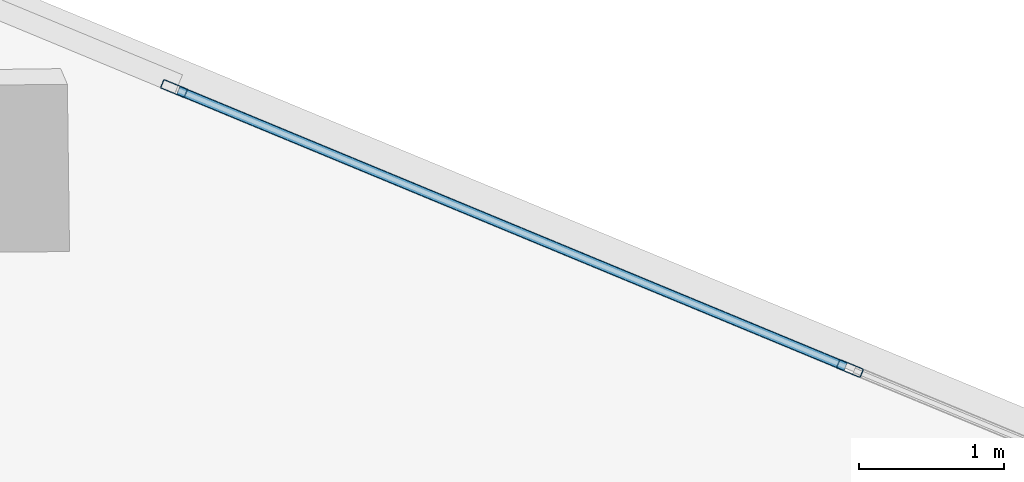
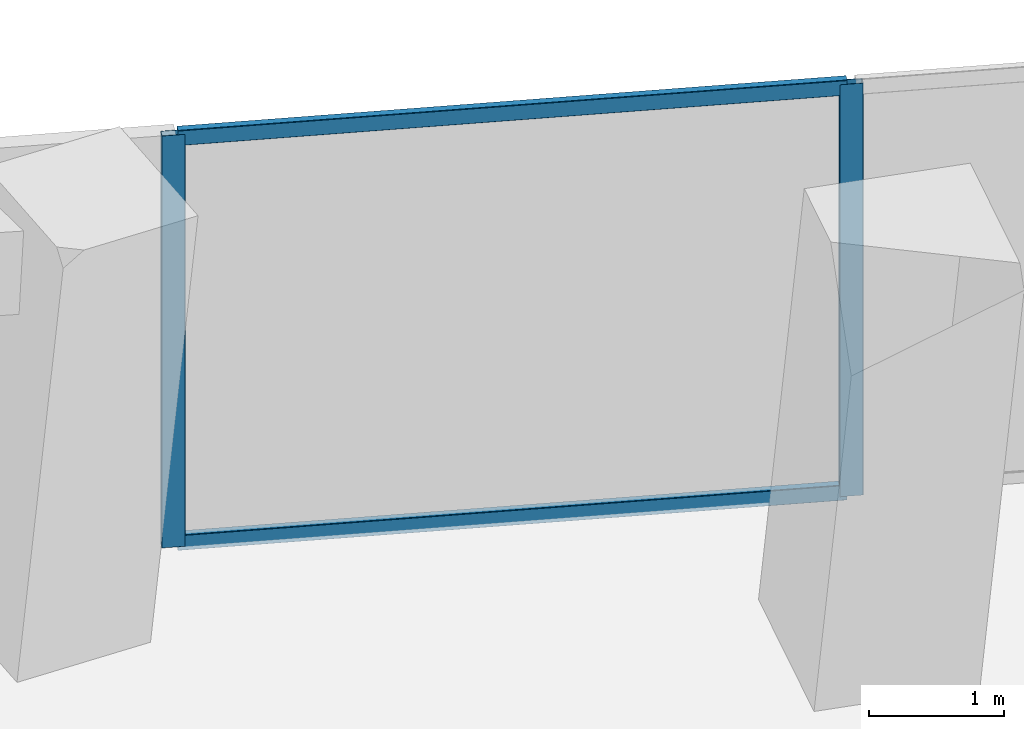
# One storey, part 9 of 23: 4 members, 1 element without a shape of its own.
"""IFC4 building model written with IfcOpenShell, lengths in metres."""

from ifc_helpers import new_model, si_unit, direction, frame, origin, origin_2d, place, context, subcontext, project, spatial, hollow_rectangle, extrude, source, transform, mapped, material, material_profile, profile_set, type_object, element, aggregate, save


model = new_model("IFC4")

# Units and contexts
model_context = context("Model", 3, precision=1e-05, world=origin(), true_north=direction((0.0, 1.0)))
body_context = subcontext(model_context, "Body", "Model", "MODEL_VIEW")
ifc_project = project(units=[si_unit("LENGTHUNIT", "METRE"), si_unit("AREAUNIT", "SQUARE_METRE"), si_unit("VOLUMEUNIT", "CUBIC_METRE"), si_unit("PLANEANGLEUNIT", "RADIAN"), si_unit("MASSUNIT", "GRAM", prefix="KILO")], contexts=[model_context])

# Site, building, storey
site_placement = place(None, origin())
site = spatial("IfcSite", under=ifc_project, at=site_placement, CompositionType="ELEMENT")
building_placement = place(site_placement, origin())
building = spatial("IfcBuilding", under=site, at=building_placement, Name="Torre Montelarca", CompositionType="ELEMENT")
storey_placement = place(building_placement, frame((0.0, 0.0, 145.60009765625)))
storey = spatial("IfcBuildingStorey", under=building, at=storey_placement, Name="L32", CompositionType="ELEMENT", Elevation=145.60009765625)

# Curtain wall, members
ifc_material_1 = material(Name="Insulated low-E laminated glass", Category="glass")
curtain_wall_type = type_object("IfcCurtainWallType", Name="CW-SYS-Z2", PredefinedType="USERDEFINED", material=ifc_material_1)
curtain_wall_placement = place(storey_placement, origin())
curtain_wall = element("IfcCurtainWall", 1, at=curtain_wall_placement, inside=storey, type_object=curtain_wall_type, Name="L32 Curtain Wall Run CW-T3-L32-E08-B1", ObjectType="UNITISED GLAZING", PredefinedType="USERDEFINED")
ifc_material_2 = material(Name="Anodised aluminium AA 6063-T6", Category="aluminium")
ifc_material_profile_1 = material_profile(ifc_material_2, hollow_rectangle(XDim=0.06494140625, YDim=0.179931640625, WallThickness=0.00390625, InnerFilletRadius=0.00390625, OuterFilletRadius=0.008056640625, at=origin_2d()), Name="ALU65X180X4", Category="aluminium")
ifc_profile_set_1 = profile_set([ifc_material_profile_1], Name="Anodised aluminium AA 6063-T6")
member_type_1 = type_object("IfcMemberType", Name="CWM-ALU180", PredefinedType="MULLION", material=ifc_profile_set_1)
shared_shape_1 = source(origin(), body_context, "Body", "SweptSolid", [
    extrude(hollow_rectangle(XDim=0.06494140625, YDim=0.179931640625, WallThickness=0.00390625, InnerFilletRadius=0.00390625, OuterFilletRadius=0.008056640625, at=origin_2d()), origin(), (0.0, 0.0, 1.0), 3.719970703125),
])
member_1_placement = place(storey_placement, frame((46.722900390625, 38.9462890625, 0.0), z_axis=(0.0, 0.0, 1.0), x_axis=(-0.382680914615, -0.923880575394, 0.0)))
member_1 = element("IfcMember", 2, at=member_1_placement, type_object=member_type_1, Name="CW mullion 2", PredefinedType="MULLION", context=body_context, shape_type="MappedRepresentation", body=[
    mapped(shared_shape_1, transform((0.0, 0.0, 0.0), scale=1.0)),
])
member_2_placement = place(storey_placement, frame((42.050537109375, 40.881591796875, 0.0), z_axis=(0.0, 0.0, 1.0), x_axis=(-0.382680914615, -0.923880575394, 0.0)))
member_2 = element("IfcMember", 3, at=member_2_placement, type_object=member_type_1, Name="CW mullion 3", PredefinedType="MULLION", context=body_context, shape_type="MappedRepresentation", body=[
    mapped(shared_shape_1, transform((0.0, 0.0, 0.0), scale=1.0)),
])
ifc_material_profile_2 = material_profile(ifc_material_2, hollow_rectangle(XDim=0.06494140625, YDim=0.139892578125, WallThickness=0.00390625, InnerFilletRadius=0.00390625, OuterFilletRadius=0.008056640625, at=origin_2d()), Name="ALU65X140X4", Category="aluminium")
ifc_profile_set_2 = profile_set([ifc_material_profile_2], Name="Anodised aluminium AA 6063-T6")
member_type_2 = type_object("IfcMemberType", Name="CWT-ALU140", PredefinedType="USERDEFINED", material=ifc_profile_set_2)
shared_shape_2 = source(origin(), body_context, "Body", "SweptSolid", [
    extrude(hollow_rectangle(XDim=0.06494140625, YDim=0.139892578125, WallThickness=0.00390625, InnerFilletRadius=0.00390625, OuterFilletRadius=0.008056640625, at=origin_2d()), origin(), (0.0, 0.0, 1.0), 4.9921875),
])
member_3_placement = place(storey_placement, frame((46.69287109375, 38.958740234375, 0.032470703125), z_axis=(-0.92388511052, 0.382669965584, 0.0), x_axis=(-0.382669965584, -0.92388511052, 0.0)))
member_3 = element("IfcMember", 4, at=member_3_placement, type_object=member_type_2, Name="CW transom 2.1", ObjectType="TRANSOM", PredefinedType="USERDEFINED", context=body_context, shape_type="MappedRepresentation", body=[
    mapped(shared_shape_2, transform((0.0, 0.0, 0.0), scale=1.0)),
])
member_4_placement = place(storey_placement, frame((46.69287109375, 38.958740234375, 3.6875), z_axis=(-0.92388511052, 0.382669965584, 0.0), x_axis=(-0.382669965584, -0.92388511052, 0.0)))
member_4 = element("IfcMember", 5, at=member_4_placement, type_object=member_type_2, Name="CW transom 2.2", ObjectType="TRANSOM", PredefinedType="USERDEFINED", context=body_context, shape_type="MappedRepresentation", body=[
    mapped(shared_shape_2, transform((0.0, 0.0, 0.0), scale=1.0)),
])
aggregate(curtain_wall, [member_1, member_2, member_3, member_4])

save(model, "model.ifc")
